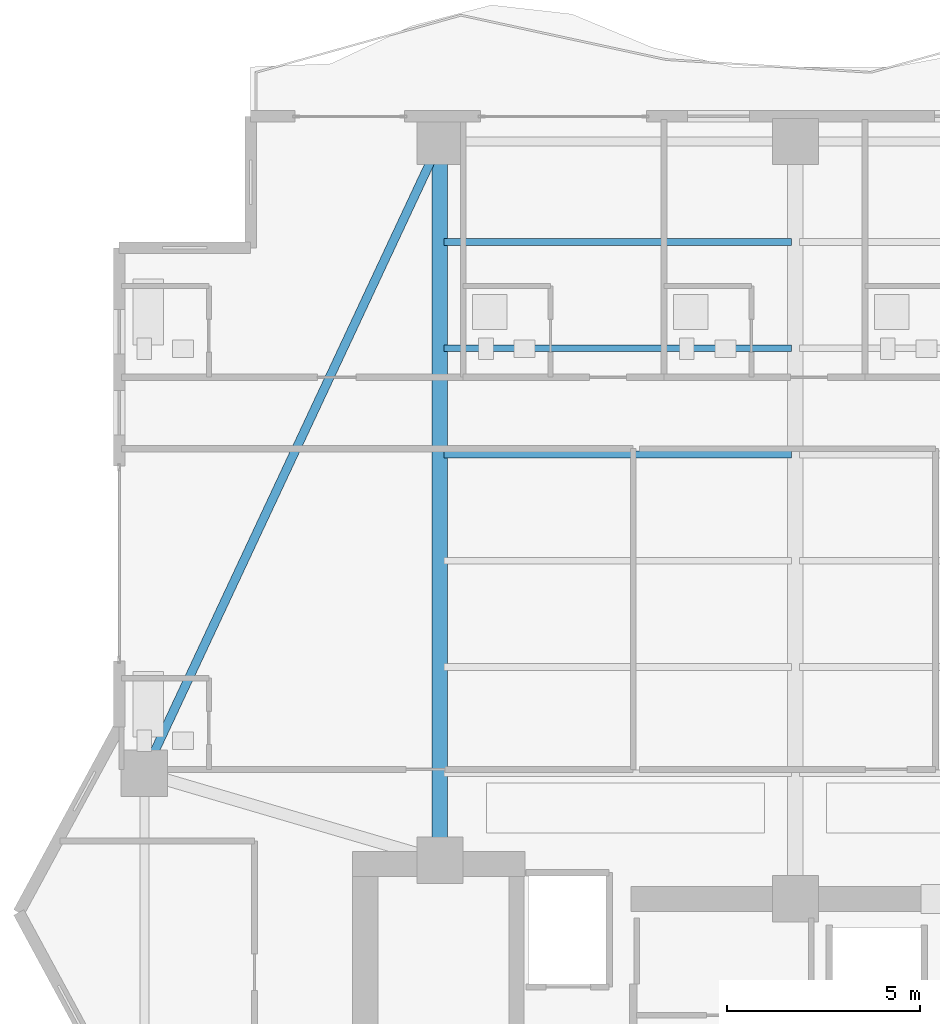
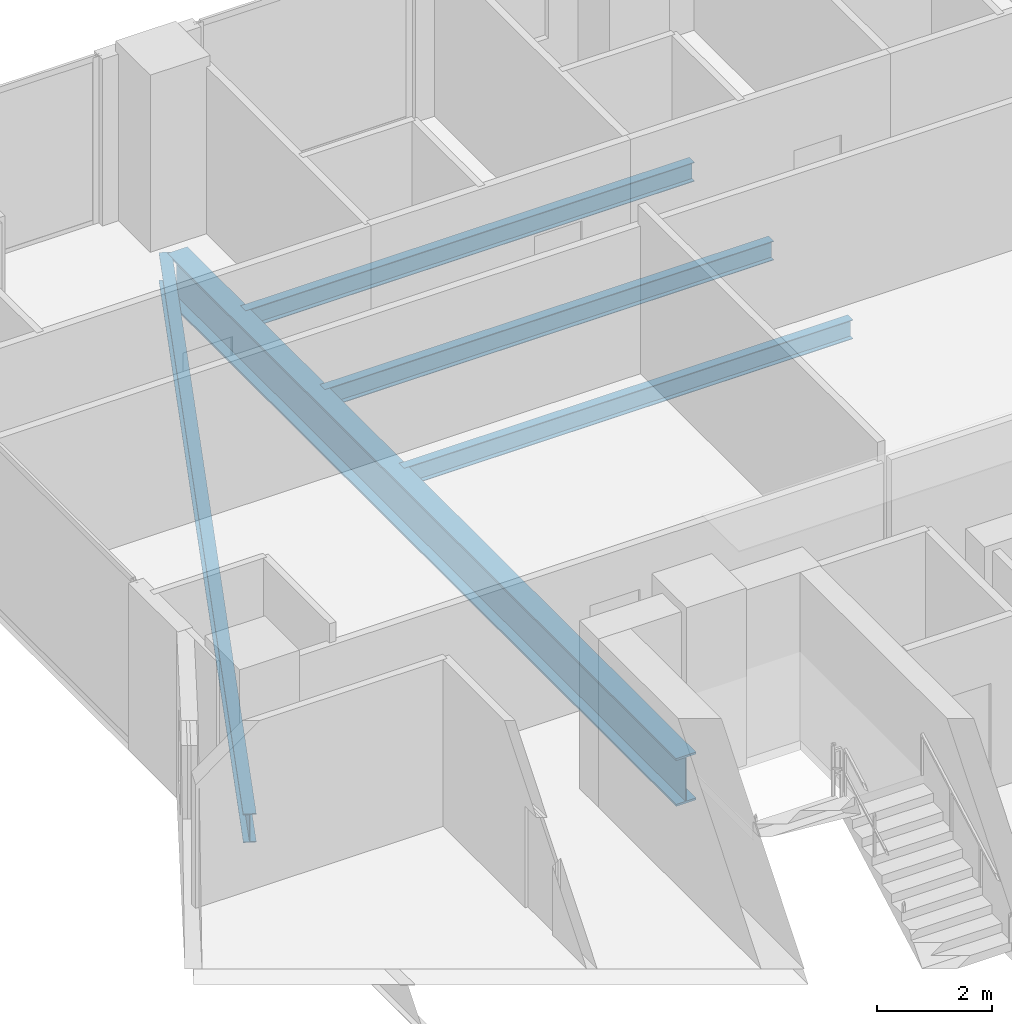
# One storey, part 18 of 33: 5 beams.
"""IFC4 building model written with IfcOpenShell, lengths in metres."""

from ifc_helpers import new_model, si_unit, direction, frame, origin, origin_2d, place, context, subcontext, project, spatial, i_section, extrude, material, material_profile, profile_set, type_object, element, save


model = new_model("IFC4")

# Units and contexts
model_context = context("Model", 3, precision=1e-05, world=origin(), true_north=direction((0.0, 1.0)))
body_context = subcontext(model_context, "Body", "Model", "MODEL_VIEW")
ifc_project = project(units=[si_unit("LENGTHUNIT", "METRE"), si_unit("AREAUNIT", "SQUARE_METRE"), si_unit("VOLUMEUNIT", "CUBIC_METRE"), si_unit("PLANEANGLEUNIT", "RADIAN"), si_unit("MASSUNIT", "GRAM", prefix="KILO")], contexts=[model_context])

# Site, building, storey
site_placement = place(None, origin())
site = spatial("IfcSite", under=ifc_project, at=site_placement, CompositionType="ELEMENT")
building_placement = place(site_placement, origin())
building = spatial("IfcBuilding", under=site, at=building_placement, Name="Zuhayl Quay Hotel", CompositionType="ELEMENT")
storey_placement = place(building_placement, frame((0.0, 0.0, 199.89990234375)))
storey = spatial("IfcBuildingStorey", under=building, at=storey_placement, Name="L50", CompositionType="ELEMENT", Elevation=199.89990234375)

# Beams
ifc_material = material(Name="Steel ASTM A992 Grade 50", Category="steel")
ifc_material_profile_1 = material_profile(ifc_material, i_section(OverallWidth=0.22802734375, OverallDepth=0.60693359375, WebThickness=0.01123046875, FlangeThickness=0.017333984375, at=origin_2d()), Name="W24X76")
ifc_profile_set_1 = profile_set([ifc_material_profile_1], Name="Steel ASTM A992 Grade 50")
beam_type_1 = type_object("IfcBeamType", Name="BM_B3_W24X76", PredefinedType="BEAM", material=ifc_profile_set_1)
beam_1_placement = place(storey_placement, frame((-14.011962890625, 32.4970703125, -0.5234375), z_axis=(-0.423792164429, -0.905759461098, 0.0), x_axis=(0.905759461098, -0.423792164429, 0.0)))
element("IfcBeam", 1, at=beam_1_placement, inside=storey, type_object=beam_type_1, Name="L50 Floor Beam RG_L50_10", PredefinedType="BEAM", context=body_context, shape_type="SweptSolid", body=[
    extrude(i_section(OverallWidth=0.22802734375, OverallDepth=0.60693359375, WebThickness=0.01123046875, FlangeThickness=0.017333984375, at=origin_2d()), origin(), (0.0, 0.0, 1.0), 17.051025390625),
])
ifc_material_profile_2 = material_profile(ifc_material, i_section(OverallWidth=0.177978515625, OverallDepth=0.406005859375, WebThickness=0.0078125, FlangeThickness=0.0126953125, at=origin_2d()), Name="W16X40")
ifc_profile_set_2 = profile_set([ifc_material_profile_2], Name="Steel ASTM A992 Grade 50")
beam_type_2 = type_object("IfcBeamType", Name="BM_J2B_W16X40", PredefinedType="JOIST", material=ifc_profile_set_2)
for number, where, z_axis, x_axis, name in (
    (2, (-13.694091796875, 24.85009765625, -0.4228515625), (1.0, 0.0, 0.0), (0.0, 1.0, 0.0), "L50 Floor Beam FJ_L50_4_1"),
    (3, (-13.694091796875, 27.60009765625, -0.4228515625), (1.0, 0.0, 0.0), (0.0, 1.0, 0.0), "L50 Floor Beam FJ_L50_5_1"),
    (4, (-13.694091796875, 30.35009765625, -0.4228515625), (1.0, 0.0, 0.0), (0.0, 1.0, 0.0), "L50 Floor Beam FJ_L50_6_1"),
):
    element("IfcBeam", number, at=place(storey_placement, frame(where, z_axis=z_axis, x_axis=x_axis)), inside=storey, type_object=beam_type_2, Name=name, PredefinedType="JOIST", context=body_context, shape_type="SweptSolid", body=[
        extrude(i_section(OverallWidth=0.177978515625, OverallDepth=0.406005859375, WebThickness=0.0078125, FlangeThickness=0.0126953125, at=origin_2d()), origin(), (0.0, 0.0, 1.0), 8.988037109375),
    ])
ifc_material_profile_3 = material_profile(ifc_material, i_section(OverallWidth=0.40087890625, OverallDepth=1.010986328125, WebThickness=0.023681640625, FlangeThickness=0.0419921875, at=origin_2d()), Name="W40X297")
ifc_profile_set_3 = profile_set([ifc_material_profile_3], Name="Steel ASTM A992 Grade 50")
beam_type_3 = type_object("IfcBeamType", Name="BM_TG2_W40X297", PredefinedType="BEAM", material=ifc_profile_set_3)
beam_2_placement = place(storey_placement, frame((-13.800048828125, 14.800048828125, -0.725341796875), z_axis=(0.0, 1.0, 0.0), x_axis=(-1.0, 0.0, 0.0)))
element("IfcBeam", 5, at=beam_2_placement, inside=storey, type_object=beam_type_3, Name="L50 Floor Beam FG_N_L50_1", PredefinedType="BEAM", context=body_context, shape_type="SweptSolid", body=[
    extrude(i_section(OverallWidth=0.40087890625, OverallDepth=1.010986328125, WebThickness=0.023681640625, FlangeThickness=0.0419921875, at=origin_2d()), origin(), (0.0, 0.0, 1.0), 17.64990234375),
])

save(model, "model.ifc")
